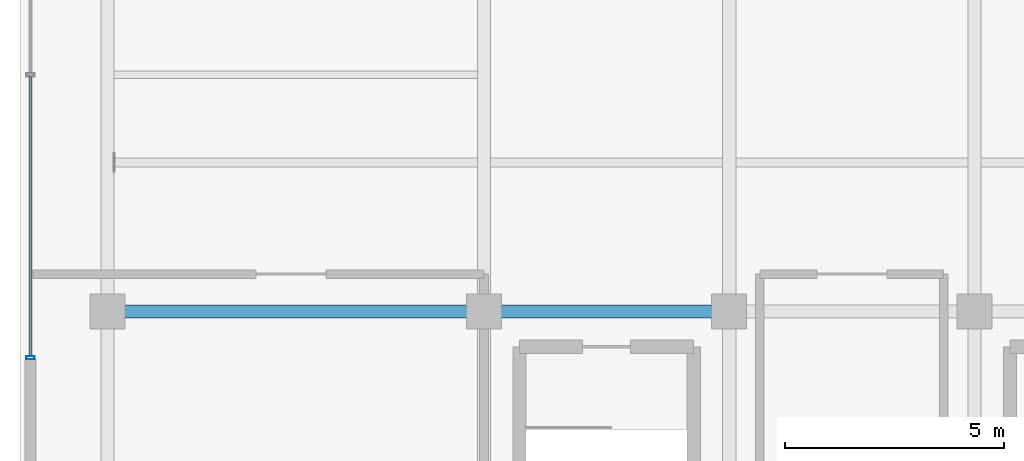
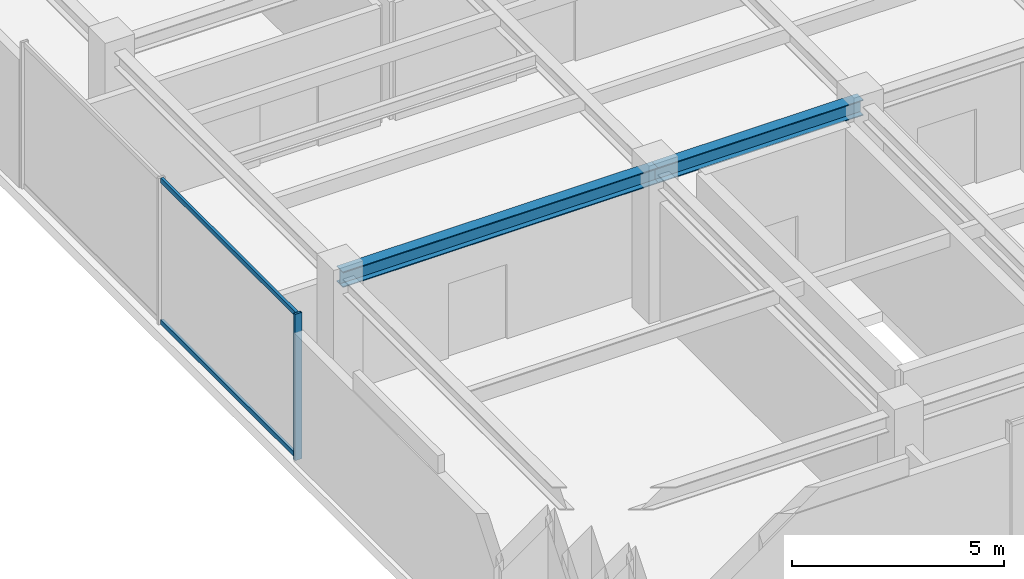
# One storey, part 3 of 21: 3 members, 2 beams, 1 element without a shape of its own.
"""IFC4 building model written with IfcOpenShell, lengths in metres."""

from ifc_helpers import new_model, si_unit, direction, frame, origin, origin_2d, place, context, subcontext, project, spatial, hollow_rectangle, i_section, extrude, source, transform, mapped, material, material_profile, profile_set, type_object, element, aggregate, save


model = new_model("IFC4")

# Units and contexts
model_context = context("Model", 3, precision=1e-05, world=origin(), true_north=direction((0.0, 1.0)))
body_context = subcontext(model_context, "Body", "Model", "MODEL_VIEW")
ifc_project = project(units=[si_unit("LENGTHUNIT", "METRE"), si_unit("AREAUNIT", "SQUARE_METRE"), si_unit("VOLUMEUNIT", "CUBIC_METRE"), si_unit("PLANEANGLEUNIT", "RADIAN"), si_unit("MASSUNIT", "GRAM", prefix="KILO")], contexts=[model_context])

# Site, building, storey
site_placement = place(None, origin())
site = spatial("IfcSite", under=ifc_project, at=site_placement, CompositionType="ELEMENT")
building_placement = place(site_placement, origin())
building = spatial("IfcBuilding", under=site, at=building_placement, Name="Nahalor Promenade Grand Hotel", CompositionType="ELEMENT")
storey_placement = place(building_placement, frame((0.0, 0.0, 370.85009765625)))
storey = spatial("IfcBuildingStorey", under=building, at=storey_placement, Name="L94", CompositionType="ELEMENT", Elevation=370.85009765625)

# Beams
ifc_material_1 = material(Name="Steel S355JR", Category="steel")
ifc_material_profile_1 = material_profile(ifc_material_1, i_section(OverallWidth=0.3, OverallDepth=0.45, WebThickness=0.014, FlangeThickness=0.026, at=origin_2d()), Name="HEB 450")
ifc_profile_set_1 = profile_set([ifc_material_profile_1], Name="Steel S355JR")
beam_type = type_object("IfcBeamType", Name="Beam-Girder-HEB450", PredefinedType="BEAM", material=ifc_profile_set_1)
shared_shape_1 = source(origin(), body_context, "Body", "SweptSolid", [
    extrude(i_section(OverallWidth=0.3, OverallDepth=0.45, WebThickness=0.014, FlangeThickness=0.026, at=origin_2d()), origin(), (0.0, 0.0, 1.0), 8.60009765625),
])
beam_1_placement = place(storey_placement, frame((-17.0, -5.39990234375, 3.994873046875), z_axis=(1.0, 0.0, 0.0), x_axis=(0.0, 1.0, 0.0)))
element("IfcBeam", 1, at=beam_1_placement, inside=storey, type_object=beam_type, Name="BM-L94-GX-1-0", PredefinedType="BEAM", context=body_context, shape_type="MappedRepresentation", body=[
    mapped(shared_shape_1, transform((0.0, 0.0, 0.0), scale=1.0)),
])
shared_shape_2 = source(origin(), body_context, "Body", "SweptSolid", [
    extrude(i_section(OverallWidth=0.3, OverallDepth=0.45, WebThickness=0.014, FlangeThickness=0.026, at=origin_2d()), origin(), (0.0, 0.0, 1.0), 5.599853515625),
])
beam_2_placement = place(storey_placement, frame((-8.39990234375, -5.39990234375, 3.994873046875), z_axis=(1.0, 0.0, 0.0), x_axis=(0.0, 1.0, 0.0)))
element("IfcBeam", 2, at=beam_2_placement, inside=storey, type_object=beam_type, Name="BM-L94-GX-1-1", PredefinedType="BEAM", context=body_context, shape_type="MappedRepresentation", body=[
    mapped(shared_shape_2, transform((0.0, 0.0, 0.0), scale=1.0)),
])

# Curtain wall, members
ifc_material_2 = material(Name="Anodised Bronze Aluminium EN AW-6063 T6", Category="aluminium")
curtain_wall_type = type_object("IfcCurtainWallType", Name="CW6 Crown Botanical Conservatory Curtain Wall", PredefinedType="USERDEFINED", material=ifc_material_2)
curtain_wall_placement = place(storey_placement, origin())
curtain_wall = element("IfcCurtainWall", 3, at=curtain_wall_placement, inside=storey, type_object=curtain_wall_type, Name="L94 Curtain Wall CW-L94-W", ObjectType="UNITISED_CURTAIN_WALL", PredefinedType="USERDEFINED")
ifc_material_profile_2 = material_profile(ifc_material_2, hollow_rectangle(XDim=0.075, YDim=0.135, WallThickness=0.004, at=origin_2d()), Name="CWT 75x135x4")
ifc_profile_set_2 = profile_set([ifc_material_profile_2], Name="Anodised Bronze Aluminium EN AW-6063 T6")
member_type_1 = type_object("IfcMemberType", Name="CWT6 Conservatory Transom 75x135", PredefinedType="USERDEFINED", material=ifc_profile_set_2)
shared_shape_3 = source(origin(), body_context, "Body", "SweptSolid", [
    extrude(hollow_rectangle(XDim=0.075, YDim=0.135, WallThickness=0.004, at=origin_2d()), origin(), (0.0, 0.0, 1.0), 6.387451171875),
])
member_1_placement = place(storey_placement, frame((-18.760009765625, -6.425048828125, 0.0673828125), z_axis=(0.0, 1.0, 0.0), x_axis=(-1.0, 0.0, 0.0)))
member_1 = element("IfcMember", 4, at=member_1_placement, type_object=member_type_1, Name="CW-L94-W Transom 0-0", ObjectType="TRANSOM", PredefinedType="USERDEFINED", context=body_context, shape_type="MappedRepresentation", body=[
    mapped(shared_shape_3, transform((0.0, 0.0, 0.0), scale=1.0)),
])
member_2_placement = place(storey_placement, frame((-18.760009765625, -6.425048828125, 4.15234375), z_axis=(0.0, 1.0, 0.0), x_axis=(-1.0, 0.0, 0.0)))
member_2 = element("IfcMember", 5, at=member_2_placement, type_object=member_type_1, Name="CW-L94-W Transom 0-1", ObjectType="TRANSOM", PredefinedType="USERDEFINED", context=body_context, shape_type="MappedRepresentation", body=[
    mapped(shared_shape_3, transform((0.0, 0.0, 0.0), scale=1.0)),
])
ifc_material_profile_3 = material_profile(ifc_material_2, hollow_rectangle(XDim=0.075, YDim=0.19, WallThickness=0.005, at=origin_2d()), Name="CWM 75x190x5")
ifc_profile_set_3 = profile_set([ifc_material_profile_3], Name="Anodised Bronze Aluminium EN AW-6063 T6")
member_type_2 = type_object("IfcMemberType", Name="CWM6 Conservatory Bronze Mullion 75x190", PredefinedType="MULLION", material=ifc_profile_set_3)
shared_shape_4 = source(origin(), body_context, "Body", "SweptSolid", [
    extrude(hollow_rectangle(XDim=0.075, YDim=0.19, WallThickness=0.005, at=origin_2d()), origin(), (0.0, 0.0, 1.0), 4.219970703125),
])
member_3_placement = place(storey_placement, frame((-18.760009765625, -6.46240234375, 0.0), z_axis=(0.0, 0.0, 1.0), x_axis=(0.0, 1.0, 0.0)))
member_3 = element("IfcMember", 6, at=member_3_placement, type_object=member_type_2, Name="CW-L94-W Mullion 0", PredefinedType="MULLION", context=body_context, shape_type="MappedRepresentation", body=[
    mapped(shared_shape_4, transform((0.0, 0.0, 0.0), scale=1.0)),
])
aggregate(curtain_wall, [member_3, member_1, member_2])

save(model, "model.ifc")
